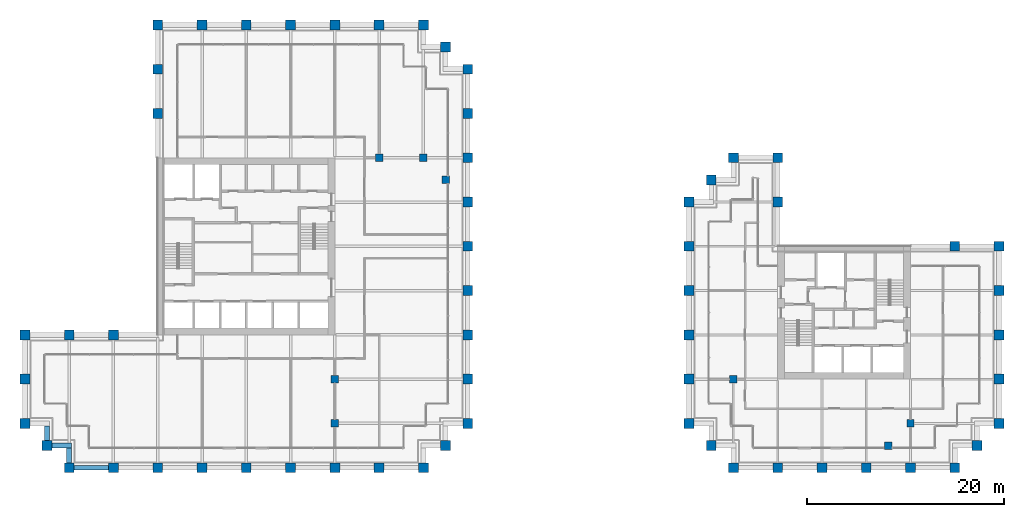
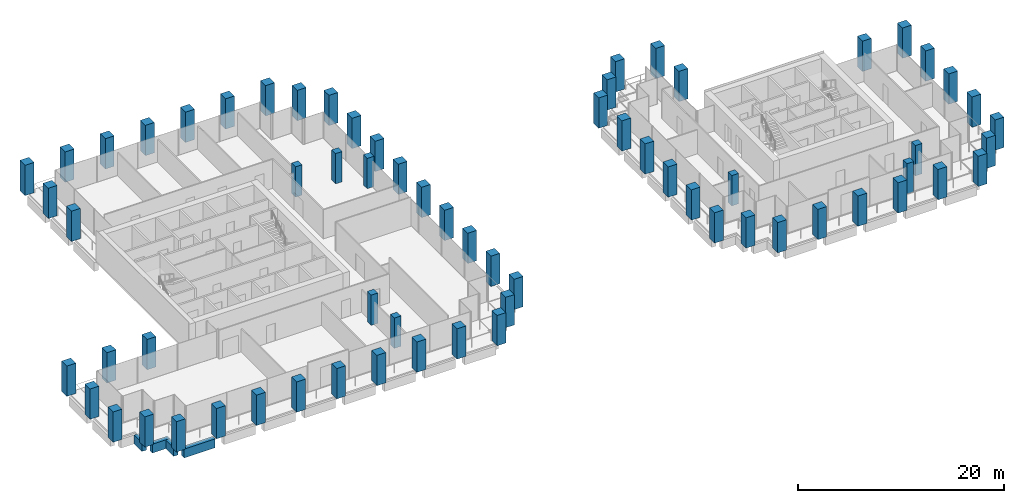
# One storey, part 1 of 46: 67 columns, 4 beams.
"""IFC4 building model written with IfcOpenShell, lengths in metres."""

import ifcopenshell
import ifcopenshell.guid

model = None  # the IFC model being written
_history = None  # IfcOwnerHistory: only IFC2X3 demands one
_inside = {}  # id of a spatial element -> (the spatial element, [elements in it])
_under = {}  # id of a project, library or spatial element -> (it, [spatial elements below it])
_declared = {}  # id of a project -> (the project, [libraries it declares])
_typed = {}  # id of a type object -> (the type object, [elements of that type])
_made_of = {}  # id of a material, layer set ... -> (it, [elements and type objects made of it])


def new_model(schema):
    """Start an empty IFC model of exactly this schema.

    Asked for "IFC4X3", IfcOpenShell would pick the latest addendum, in which some entities
    have other attributes; the version numbers below select the first issue.
    IFC2X3 requires an IfcOwnerHistory on every rooted entity: one is made here for all.
    """
    global model, _history
    if schema == "IFC4X3":
        model = ifcopenshell.file(schema_version=(4, 3, 0, 0))
    else:
        model = ifcopenshell.file(schema=schema)
    _inside.clear()
    _under.clear()
    _declared.clear()
    _typed.clear()
    _made_of.clear()
    _history = None
    if model.schema == "IFC2X3":
        org = make("IfcOrganization", Name="unknown")
        user = make(
            "IfcPersonAndOrganization",
            ThePerson=make("IfcPerson", FamilyName="unknown"),
            TheOrganization=org,
        )
        app = make(
            "IfcApplication",
            ApplicationDeveloper=org,
            Version="unknown",
            ApplicationFullName="unknown",
            ApplicationIdentifier="unknown",
        )
        _history = make(
            "IfcOwnerHistory",
            OwningUser=user,
            OwningApplication=app,
            ChangeAction="ADDED",
            CreationDate=0,
        )
    return model


def make(cls, **values):
    """One entity of the class cls with the attributes given. An attribute that is None is left unset."""
    return model.create_entity(
        cls, **{name: value for name, value in values.items() if value is not None}
    )


def rooted(cls, **values):
    """An entity with a GlobalId (a new one), such as an element, a storey or a relation."""
    return make(cls, GlobalId=ifcopenshell.guid.new(), OwnerHistory=_history, **values)


def si_unit(unit_type, name, prefix=None):
    """IfcSIUnit, for example si_unit("LENGTHUNIT", "METRE", prefix="MILLI")."""
    return make("IfcSIUnit", UnitType=unit_type, Prefix=prefix, Name=name)


def assignment(units):
    """IfcUnitAssignment: the units of a project."""
    return None if units is None else make("IfcUnitAssignment", Units=units)


def point(xyz):
    """IfcCartesianPoint."""
    return None if xyz is None else make("IfcCartesianPoint", Coordinates=xyz)


def direction(xyz):
    """IfcDirection."""
    return None if xyz is None else make("IfcDirection", DirectionRatios=xyz)


def frame(location, z_axis=None, x_axis=None):
    """IfcAxis2Placement3D, a coordinate frame: its origin and axes. An axis left out is left unset."""
    return make(
        "IfcAxis2Placement3D",
        Location=point(location),
        Axis=direction(z_axis),
        RefDirection=direction(x_axis),
    )


def frame_2d(location, x_axis=None):
    """IfcAxis2Placement2D, a coordinate frame in the plane: its origin and x axis."""
    return make(
        "IfcAxis2Placement2D", Location=point(location), RefDirection=direction(x_axis)
    )


def origin():
    """The frame at (0, 0, 0) with its axes left unset."""
    return frame((0.0, 0.0, 0.0))


def origin_2d():
    """The frame at (0, 0) in the plane with its x axis left unset."""
    return frame_2d((0.0, 0.0))


def place(relative_to, where):
    """IfcLocalPlacement: puts the frame where relative to a parent placement (None: the world)."""
    return make(
        "IfcLocalPlacement", PlacementRelTo=relative_to, RelativePlacement=where
    )


def context(
    kind, dimensions, precision=None, world=None, true_north=None, identifier=None
):
    """IfcGeometricRepresentationContext, for example the 3D "Model" context."""
    return make(
        "IfcGeometricRepresentationContext",
        ContextIdentifier=identifier,
        ContextType=kind,
        CoordinateSpaceDimension=dimensions,
        Precision=precision,
        WorldCoordinateSystem=world,
        TrueNorth=true_north,
    )


def subcontext(parent, identifier, kind, view, scale=None):
    """IfcGeometricRepresentationSubContext, for example "Body" below "Model"."""
    return make(
        "IfcGeometricRepresentationSubContext",
        ContextIdentifier=identifier,
        ContextType=kind,
        ParentContext=parent,
        TargetScale=scale,
        TargetView=view,
    )


def project(units=None, contexts=None):
    """IfcProject with its units and contexts."""
    return rooted(
        "IfcProject",
        Name="project",
        RepresentationContexts=contexts,
        UnitsInContext=assignment(units),
    )


def spatial(cls, under=None, at=None, **own):
    """A site, building, storey or space (cls), placed at a placement, below another one or the project."""
    s = rooted(cls, ObjectPlacement=at, **own)
    if under is not None:
        _under.setdefault(under.id(), (under, []))[1].append(s)
    return s


def profile(cls, at=None, kind="AREA", **sizes):
    """A parametric profile (cls). Its sizes go by their IFC names, for example OverallWidth=200.0."""
    return make(cls, ProfileType=kind, Position=at, **sizes)


def rectangle(**sizes):
    """IfcRectangleProfileDef."""
    return profile("IfcRectangleProfileDef", **sizes)


def extrude(swept, where, along, depth):
    """IfcExtrudedAreaSolid: the profile swept, set in the frame where, extruded along a direction by depth."""
    return make(
        "IfcExtrudedAreaSolid",
        SweptArea=swept,
        Position=where,
        ExtrudedDirection=direction(along),
        Depth=depth,
    )


def shape(context_of_items, identifier, shape_type, items):
    """IfcShapeRepresentation: the items that make up one representation, for example the "Body"."""
    return make(
        "IfcShapeRepresentation",
        ContextOfItems=context_of_items,
        RepresentationIdentifier=identifier,
        RepresentationType=shape_type,
        Items=items,
    )


def material(Name=None, Category=None):
    """IfcMaterial."""
    return make("IfcMaterial", Name=Name, Category=Category)


def material_profile(
    of_material, cross_section, Name=None, Category=None, Priority=None
):
    """IfcMaterialProfile: a cross section and its material."""
    return make(
        "IfcMaterialProfile",
        Name=Name,
        Material=of_material,
        Profile=cross_section,
        Priority=Priority,
        Category=Category,
    )


def profile_set(profiles, Name=None, composite=None):
    """IfcMaterialProfileSet."""
    return make(
        "IfcMaterialProfileSet",
        Name=Name,
        MaterialProfiles=profiles,
        CompositeProfile=composite,
    )


def made_of(thing, what):
    """Note that an element or type object is made of a material, layer set ...; save() writes the relation."""
    if what is not None:
        _made_of.setdefault(what.id(), (what, []))[1].append(thing)
    return thing


def type_object(cls, material=None, **own):
    """A type object (cls), such as IfcWallType, which elements share."""
    return made_of(rooted(cls, **own), material)


def element(
    cls,
    number,
    at=None,
    inside=None,
    cuts=None,
    type_object=None,
    material=None,
    context=None,
    identifier="Body",
    shape_type=None,
    held_by="IfcProductDefinitionShape",
    body=None,
    shapes=None,
    **own,
):
    """One element of the class cls, such as IfcWall. Its Tag is "e" and its number.

    at: its placement. inside: the storey or other place that contains it. cuts: it is an
    opening in that element (IfcRelVoidsElement). A single representation is given by context,
    identifier, shape_type and body (its items); several are given by shapes. held_by: the class
    of the entity that holds the representations. save() writes the other relations.
    """
    e = rooted(cls, Tag="e%d" % number, ObjectPlacement=at, **own)
    if body is not None:
        shapes = [shape(context, identifier, shape_type, body)]
    if shapes is not None:
        e.Representation = make(held_by, Representations=shapes)
    if inside is not None:
        _inside.setdefault(inside.id(), (inside, []))[1].append(e)
    if cuts is not None:
        rooted(
            "IfcRelVoidsElement", RelatingBuildingElement=cuts, RelatedOpeningElement=e
        )
    if type_object is not None:
        _typed.setdefault(type_object.id(), (type_object, []))[1].append(e)
    return made_of(e, material)


def aggregate(whole, parts):
    """IfcRelAggregates: a whole, such as a stair, and the parts it consists of."""
    return rooted("IfcRelAggregates", RelatingObject=whole, RelatedObjects=parts)


def save(model, path):
    """Write the relations noted so far, then the file.

    IfcRelAggregates (storeys below a building ...), IfcRelContainedInSpatialStructure (elements
    in a storey), IfcRelDefinesByType, IfcRelAssociatesMaterial and IfcRelDeclares: one each for
    every whole, place, type object, material and project.
    """
    for whole, parts in _under.values():
        aggregate(whole, parts)
    for where, things in _inside.values():
        rooted(
            "IfcRelContainedInSpatialStructure",
            RelatedElements=things,
            RelatingStructure=where,
        )
    for kind, things in _typed.values():
        rooted("IfcRelDefinesByType", RelatedObjects=things, RelatingType=kind)
    for what, things in _made_of.values():
        rooted("IfcRelAssociatesMaterial", RelatedObjects=things, RelatingMaterial=what)
    for by, libraries in _declared.values():
        rooted("IfcRelDeclares", RelatingContext=by, RelatedDefinitions=libraries)
    model.write(path)


model = new_model("IFC4")

# Units and contexts
model_context = context("Model", 3, precision=1e-05, world=origin(), true_north=direction((0.0, 1.0)))
body_context = subcontext(model_context, "Body", "Model", "MODEL_VIEW")
ifc_project = project(units=[si_unit("LENGTHUNIT", "METRE"), si_unit("AREAUNIT", "SQUARE_METRE"), si_unit("VOLUMEUNIT", "CUBIC_METRE"), si_unit("PLANEANGLEUNIT", "RADIAN"), si_unit("MASSUNIT", "GRAM", prefix="KILO")], contexts=[model_context])

# Site, building, storey
site_placement = place(None, origin())
site = spatial("IfcSite", under=ifc_project, at=site_placement, CompositionType="ELEMENT")
building_placement = place(site_placement, origin())
building = spatial("IfcBuilding", under=site, at=building_placement, Name="Altepetl Exchange Towers", CompositionType="ELEMENT")
storey_placement = place(building_placement, frame((0.0, 0.0, 124.39990234375)))
storey = spatial("IfcBuildingStorey", under=building, at=storey_placement, Name="L30", CompositionType="ELEMENT", Elevation=124.39990234375)

# Columns
ifc_material_1 = material(Name="Concrete C70/85", Category="concrete")
ifc_material_profile_1 = material_profile(ifc_material_1, rectangle(XDim=0.75, YDim=0.75, at=origin_2d()), Name="750 x 750")
ifc_profile_set_1 = profile_set([ifc_material_profile_1], Name="Concrete C70/85")
column_type_1 = type_object("IfcColumnType", Name="Interior column 750", PredefinedType="COLUMN", material=ifc_profile_set_1)
for number, where, name in (
    (1, (58.5, 31.5, 0.0), "col:A:L30:035"),
    (2, (58.5, 36.0, 0.0), "col:A:L30:036"),
    (3, (63.0, 58.5, 0.0), "col:A:L30:037"),
    (4, (67.5, 58.5, 0.0), "col:A:L30:038"),
    (5, (69.75, 56.25, 0.0), "col:A:L30:039"),
    (6, (99.0, 36.0, 0.0), "col:B:L30:024"),
    (7, (114.75, 29.25, 0.0), "col:B:L30:025"),
    (8, (117.0, 31.5, 0.0), "col:B:L30:026"),
):
    element("IfcColumn", number, at=place(storey_placement, frame(where)), inside=storey, type_object=column_type_1, Name=name, PredefinedType="COLUMN", context=body_context, shape_type="SweptSolid", body=[
        extrude(rectangle(XDim=0.75, YDim=0.75, at=origin_2d()), origin(), (0.0, 0.0, 1.0), 3.60009765625),
    ])
ifc_material_2 = material(Name="Concrete C70/85 precast with cantera amarilla facing", Category="concrete")
ifc_material_profile_2 = material_profile(ifc_material_2, rectangle(XDim=1.0, YDim=1.0, at=origin_2d()), Name="1000 x 1000")
ifc_profile_set_2 = profile_set([ifc_material_profile_2], Name="Concrete C70/85 precast with cantera amarilla facing")
column_type_2 = type_object("IfcColumnType", Name="Perimeter column 1000 cantera amarilla", PredefinedType="COLUMN", material=ifc_profile_set_2)
for number, where, name in (
    (9, (58.5, 27.0, 0.0), "col:A:L30:006"),
    (10, (63.0, 27.0, 0.0), "col:A:L30:007"),
    (11, (67.5, 27.0, 0.0), "col:A:L30:008"),
    (12, (69.75, 29.25, 0.0), "col:A:L30:009"),
    (13, (72.0, 31.5, 0.0), "col:A:L30:010"),
    (14, (72.0, 36.0, 0.0), "col:A:L30:011"),
    (15, (72.0, 40.5, 0.0), "col:A:L30:012"),
    (16, (72.0, 45.0, 0.0), "col:A:L30:013"),
    (17, (72.0, 49.5, 0.0), "col:A:L30:014"),
    (18, (72.0, 54.0, 0.0), "col:A:L30:015"),
    (19, (126.0, 49.5, 0.0), "col:B:L30:011"),
    (20, (121.5, 49.5, 0.0), "col:B:L30:012"),
):
    element("IfcColumn", number, at=place(storey_placement, frame(where)), inside=storey, type_object=column_type_2, Name=name, PredefinedType="COLUMN", context=body_context, shape_type="SweptSolid", body=[
        extrude(rectangle(XDim=1.0, YDim=1.0, at=origin_2d()), origin(), (0.0, 0.0, 1.0), 3.60009765625),
    ])
ifc_material_3 = material(Name="Concrete C70/85 precast with cantera blanca facing", Category="concrete")
ifc_material_profile_3 = material_profile(ifc_material_3, rectangle(XDim=1.0, YDim=1.0, at=origin_2d()), Name="1000 x 1000")
ifc_profile_set_3 = profile_set([ifc_material_profile_3], Name="Concrete C70/85 precast with cantera blanca facing")
column_type_3 = type_object("IfcColumnType", Name="Perimeter column 1000 cantera blanca", PredefinedType="COLUMN", material=ifc_profile_set_3)
for number, where, name in (
    (21, (31.5, 27.0, 0.0), "col:A:L30:000"),
    (22, (36.0, 27.0, 0.0), "col:A:L30:001"),
    (23, (40.5, 27.0, 0.0), "col:A:L30:002"),
    (24, (45.0, 27.0, 0.0), "col:A:L30:003"),
    (25, (49.5, 27.0, 0.0), "col:A:L30:004"),
    (26, (54.0, 27.0, 0.0), "col:A:L30:005"),
    (27, (27.0, 36.0, 0.0), "col:A:L30:032"),
    (28, (27.0, 31.5, 0.0), "col:A:L30:033"),
    (29, (29.25, 29.25, 0.0), "col:A:L30:034"),
    (30, (117.0, 27.0, 0.0), "col:B:L30:004"),
    (31, (121.5, 27.0, 0.0), "col:B:L30:005"),
    (32, (123.75, 29.25, 0.0), "col:B:L30:006"),
    (33, (126.0, 31.5, 0.0), "col:B:L30:007"),
    (34, (126.0, 36.0, 0.0), "col:B:L30:008"),
    (35, (126.0, 40.5, 0.0), "col:B:L30:009"),
    (36, (126.0, 45.0, 0.0), "col:B:L30:010"),
):
    element("IfcColumn", number, at=place(storey_placement, frame(where)), inside=storey, type_object=column_type_3, Name=name, PredefinedType="COLUMN", context=body_context, shape_type="SweptSolid", body=[
        extrude(rectangle(XDim=1.0, YDim=1.0, at=origin_2d()), origin(), (0.0, 0.0, 1.0), 3.60009765625),
    ])
ifc_material_4 = material(Name="Concrete C70/85 precast with cantera rosa facing", Category="concrete")
ifc_material_profile_4 = material_profile(ifc_material_4, rectangle(XDim=1.0, YDim=1.0, at=origin_2d()), Name="1000 x 1000")
ifc_profile_set_4 = profile_set([ifc_material_profile_4], Name="Concrete C70/85 precast with cantera rosa facing")
column_type_4 = type_object("IfcColumnType", Name="Perimeter column 1000 cantera rosa", PredefinedType="COLUMN", material=ifc_profile_set_4)
for number, where, name in (
    (37, (72.0, 58.5, 0.0), "col:A:L30:016"),
    (38, (72.0, 63.0, 0.0), "col:A:L30:017"),
    (39, (72.0, 67.5, 0.0), "col:A:L30:018"),
    (40, (69.75, 69.75, 0.0), "col:A:L30:019"),
    (41, (67.5, 72.0, 0.0), "col:A:L30:020"),
    (42, (63.0, 72.0, 0.0), "col:A:L30:021"),
    (43, (58.5, 72.0, 0.0), "col:A:L30:022"),
    (44, (54.0, 72.0, 0.0), "col:A:L30:023"),
    (45, (49.5, 72.0, 0.0), "col:A:L30:024"),
    (46, (45.0, 72.0, 0.0), "col:A:L30:025"),
    (47, (103.5, 54.0, 0.0), "col:B:L30:013"),
    (48, (103.5, 58.5, 0.0), "col:B:L30:014"),
    (49, (99.0, 58.5, 0.0), "col:B:L30:015"),
    (50, (96.75, 56.25, 0.0), "col:B:L30:016"),
    (51, (94.5, 54.0, 0.0), "col:B:L30:017"),
    (52, (94.5, 49.5, 0.0), "col:B:L30:018"),
    (53, (94.5, 45.0, 0.0), "col:B:L30:019"),
    (54, (94.5, 40.5, 0.0), "col:B:L30:020"),
    (55, (94.5, 36.0, 0.0), "col:B:L30:021"),
):
    element("IfcColumn", number, at=place(storey_placement, frame(where)), inside=storey, type_object=column_type_4, Name=name, PredefinedType="COLUMN", context=body_context, shape_type="SweptSolid", body=[
        extrude(rectangle(XDim=1.0, YDim=1.0, at=origin_2d()), origin(), (0.0, 0.0, 1.0), 3.60009765625),
    ])
ifc_material_5 = material(Name="Concrete C70/85 precast with tezontle facing", Category="concrete")
ifc_material_profile_5 = material_profile(ifc_material_5, rectangle(XDim=1.0, YDim=1.0, at=origin_2d()), Name="1000 x 1000")
ifc_profile_set_5 = profile_set([ifc_material_profile_5], Name="Concrete C70/85 precast with tezontle facing")
column_type_5 = type_object("IfcColumnType", Name="Perimeter column 1000 tezontle", PredefinedType="COLUMN", material=ifc_profile_set_5)
for number, where, name in (
    (56, (40.5, 72.0, 0.0), "col:A:L30:026"),
    (57, (40.5, 67.5, 0.0), "col:A:L30:027"),
    (58, (40.5, 63.0, 0.0), "col:A:L30:028"),
    (59, (36.0, 40.5, 0.0), "col:A:L30:029"),
    (60, (31.5, 40.5, 0.0), "col:A:L30:030"),
    (61, (27.0, 40.5, 0.0), "col:A:L30:031"),
    (62, (99.0, 27.0, 0.0), "col:B:L30:000"),
    (63, (103.5, 27.0, 0.0), "col:B:L30:001"),
    (64, (108.0, 27.0, 0.0), "col:B:L30:002"),
    (65, (112.5, 27.0, 0.0), "col:B:L30:003"),
    (66, (94.5, 31.5, 0.0), "col:B:L30:022"),
    (67, (96.75, 29.25, 0.0), "col:B:L30:023"),
):
    element("IfcColumn", number, at=place(storey_placement, frame(where)), inside=storey, type_object=column_type_5, Name=name, PredefinedType="COLUMN", context=body_context, shape_type="SweptSolid", body=[
        extrude(rectangle(XDim=1.0, YDim=1.0, at=origin_2d()), origin(), (0.0, 0.0, 1.0), 3.60009765625),
    ])

# Beams
ifc_material_6 = material(Name="Concrete C50/60 precast with cantera blanca facing", Category="concrete")
ifc_material_profile_6 = material_profile(ifc_material_6, rectangle(XDim=0.5, YDim=1.050048828125, at=origin_2d()), Name="500 x 1050")
ifc_profile_set_6 = profile_set([ifc_material_profile_6], Name="Concrete C50/60 precast with cantera blanca facing")
beam_type = type_object("IfcBeamType", Name="Spandrel beam 500x1050 cantera blanca", PredefinedType="SPANDREL", material=ifc_profile_set_6)
beam_1_placement = place(storey_placement, frame((32.0, 27.0, -0.6748046875), z_axis=(1.0, 0.0, 0.0), x_axis=(0.0, 1.0, 0.0)))
element("IfcBeam", 68, at=beam_1_placement, inside=storey, type_object=beam_type, Name="sp:A:L30:000", PredefinedType="SPANDREL", context=body_context, shape_type="SweptSolid", body=[
    extrude(rectangle(XDim=0.5, YDim=1.050048828125, at=origin_2d()), origin(), (0.0, 0.0, 1.0), 3.5),
])
beam_2_placement = place(storey_placement, frame((29.25, 31.25, -0.6748046875), z_axis=(0.0, -1.0, 0.0), x_axis=(1.0, 0.0, 0.0)))
element("IfcBeam", 69, at=beam_2_placement, inside=storey, type_object=beam_type, Name="sp:A:L30:039", PredefinedType="SPANDREL", context=body_context, shape_type="SweptSolid", body=[
    extrude(rectangle(XDim=0.5, YDim=1.050048828125, at=origin_2d()), origin(), (0.0, 0.0, 1.0), 1.5),
])
beam_3_placement = place(storey_placement, frame((29.75, 29.25, -0.6748046875), z_axis=(1.0, 0.0, 0.0), x_axis=(0.0, 1.0, 0.0)))
element("IfcBeam", 70, at=beam_3_placement, inside=storey, type_object=beam_type, Name="sp:A:L30:040", PredefinedType="SPANDREL", context=body_context, shape_type="SweptSolid", body=[
    extrude(rectangle(XDim=0.5, YDim=1.050048828125, at=origin_2d()), origin(), (0.0, 0.0, 1.0), 2.0),
])
beam_4_placement = place(storey_placement, frame((31.5, 29.0, -0.6748046875), z_axis=(0.0, -1.0, 0.0), x_axis=(1.0, 0.0, 0.0)))
element("IfcBeam", 71, at=beam_4_placement, inside=storey, type_object=beam_type, Name="sp:A:L30:041", PredefinedType="SPANDREL", context=body_context, shape_type="SweptSolid", body=[
    extrude(rectangle(XDim=0.5, YDim=1.050048828125, at=origin_2d()), origin(), (0.0, 0.0, 1.0), 1.5),
])

save(model, "model.ifc")
